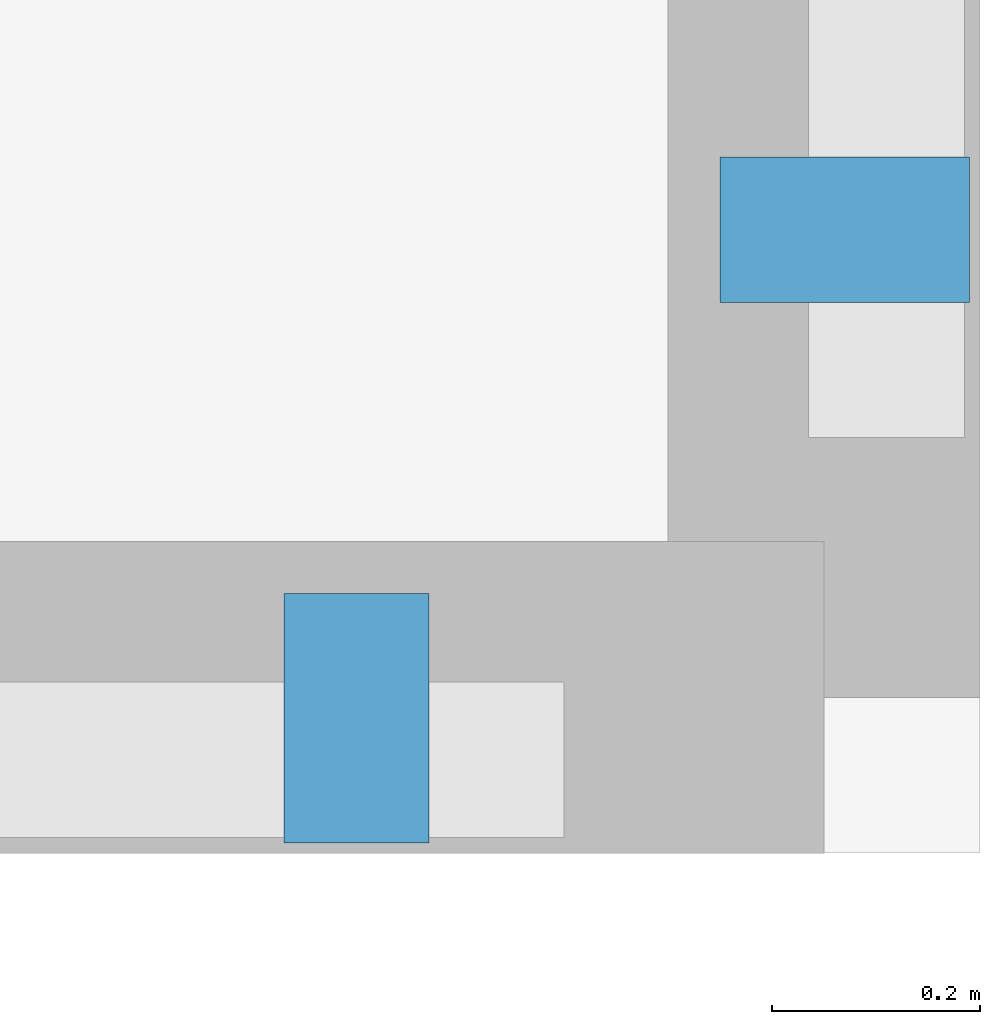
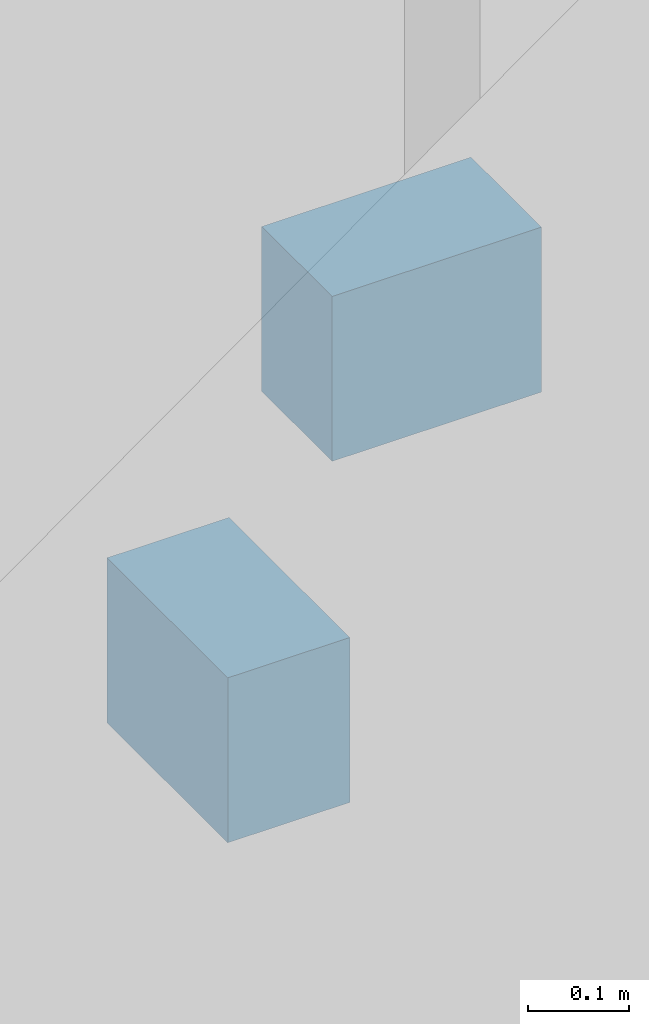
# One storey, part 17 of 21: 2 discrete accessories.
"""IFC4 building model written with IfcOpenShell, lengths in metres."""

from ifc_helpers import new_model, si_unit, direction, frame, origin, origin_2d, place, context, subcontext, project, spatial, rectangle, extrude, material, type_object, element, save


model = new_model("IFC4")

# Units and contexts
model_context = context("Model", 3, precision=1e-05, world=origin(), true_north=direction((0.0, 1.0)))
body_context = subcontext(model_context, "Body", "Model", "MODEL_VIEW")
ifc_project = project(units=[si_unit("LENGTHUNIT", "METRE"), si_unit("AREAUNIT", "SQUARE_METRE"), si_unit("VOLUMEUNIT", "CUBIC_METRE"), si_unit("PLANEANGLEUNIT", "RADIAN"), si_unit("MASSUNIT", "GRAM", prefix="KILO")], contexts=[model_context])

# Site, building, storey
site_placement = place(None, origin())
site = spatial("IfcSite", under=ifc_project, at=site_placement, CompositionType="ELEMENT")
building_placement = place(site_placement, origin())
building = spatial("IfcBuilding", under=site, at=building_placement, Name="Tarnavaz Court Tower", CompositionType="ELEMENT")
storey_placement = place(building_placement, frame((0.0, 0.0, 47.449951171875)))
storey = spatial("IfcBuildingStorey", under=building, at=storey_placement, Name="L12", CompositionType="ELEMENT", Elevation=47.449951171875)

# Discrete accessories
ifc_material = material(Name="Anodised Aluminium 6063-T6", Category="aluminium")
discrete_accessory_type = type_object("IfcDiscreteAccessoryType", Name="DA-BRKT-ALU", PredefinedType="BRACKET", material=ifc_material)
for number, where, z_axis, x_axis, name in (
    (1, (28.669921875, -18.60009765625, 1.75), (0.0, 0.0, 1.0), (0.0, -1.0, 0.0), "L12 Baguette Outrigger Bracket FBG12-2"),
    (2, (28.199951171875, -19.070068359375, 1.75), (0.0, 0.0, 1.0), (-1.0, 0.0, 0.0), "L12 Baguette Outrigger Bracket FBG13-1"),
):
    element("IfcDiscreteAccessory", number, at=place(storey_placement, frame(where, z_axis=z_axis, x_axis=x_axis)), inside=storey, type_object=discrete_accessory_type, Name=name, PredefinedType="BRACKET", context=body_context, shape_type="SweptSolid", body=[
        extrude(rectangle(XDim=0.139892578125, YDim=0.239990234375, at=origin_2d()), origin(), (0.0, 0.0, 1.0), 0.199951171875),
    ])

save(model, "model.ifc")
